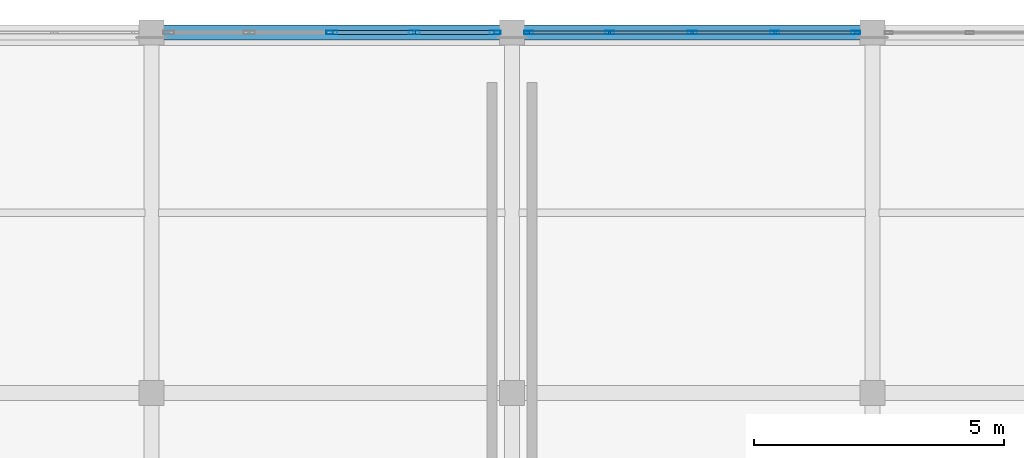
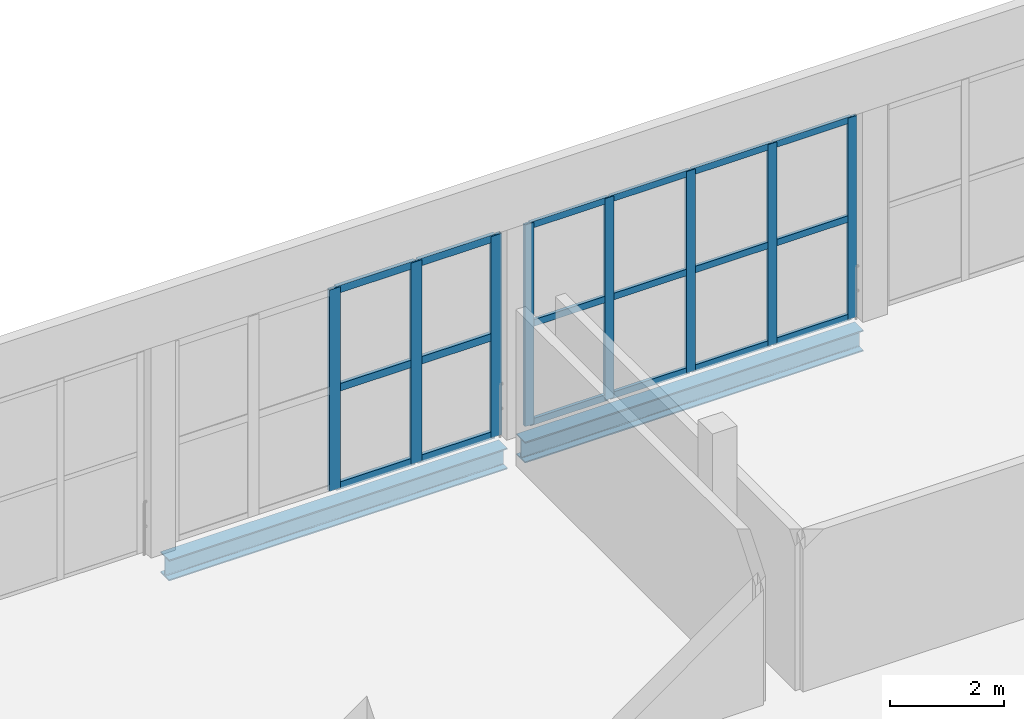
# One storey, part 35 of 64: 26 members, 2 beams, 2 elements without a shape of their own.
"""IFC4 building model written with IfcOpenShell, lengths in metres."""

from ifc_helpers import new_model, si_unit, direction, frame, origin, origin_2d, place, context, subcontext, project, spatial, hollow_rectangle, i_section, extrude, material, material_profile, profile_set, type_object, element, aggregate, save


model = new_model("IFC4")

# Units and contexts
model_context = context("Model", 3, precision=1e-05, world=origin(), true_north=direction((0.0, 1.0)))
body_context = subcontext(model_context, "Body", "Model", "MODEL_VIEW")
ifc_project = project(units=[si_unit("LENGTHUNIT", "METRE"), si_unit("AREAUNIT", "SQUARE_METRE"), si_unit("VOLUMEUNIT", "CUBIC_METRE"), si_unit("PLANEANGLEUNIT", "RADIAN"), si_unit("MASSUNIT", "GRAM", prefix="KILO")], contexts=[model_context])

# Site, building, storey
site_placement = place(None, origin())
site = spatial("IfcSite", under=ifc_project, at=site_placement, CompositionType="ELEMENT")
building_placement = place(site_placement, origin())
building = spatial("IfcBuilding", under=site, at=building_placement, Name="Qandorah Velis Arena", CompositionType="ELEMENT")
storey_placement = place(building_placement, frame((0.0, 0.0, 23.0)))
storey = spatial("IfcBuildingStorey", under=building, at=storey_placement, Name="L05", CompositionType="ELEMENT", Elevation=23.0)

# Curtain wall, members
ifc_material_1 = material(Name="Solar-control low-E double glazing", Category="glass")
curtain_wall_type_1 = type_object("IfcCurtainWallType", Name="ARC-CW-SYS06", PredefinedType="USERDEFINED", material=ifc_material_1)
curtain_wall_1_placement = place(storey_placement, origin())
curtain_wall_1 = element("IfcCurtainWall", 1, at=curtain_wall_1_placement, inside=storey, type_object=curtain_wall_type_1, Name="Unitised curtain wall L05-102", ObjectType="UNITISED CURTAIN WALL", PredefinedType="USERDEFINED")
ifc_material_2 = material(Name="Champagne-bronze anodized aluminium 6063-T6", Category="aluminium")
ifc_material_profile_1 = material_profile(ifc_material_2, hollow_rectangle(XDim=0.06494140625, YDim=0.179931640625, WallThickness=0.00341796875, at=origin_2d()), Name="ALU MULLION 65x180")
ifc_profile_set_1 = profile_set([ifc_material_profile_1], Name="Champagne-bronze anodized aluminium 6063-T6")
member_type_1 = type_object("IfcMemberType", Name="ARC-CWM-180", PredefinedType="MULLION", material=ifc_profile_set_1)
member_1_placement = place(storey_placement, frame((57.9326171875, 129.60009765625, -0.014892578125), z_axis=(0.0, 0.0, 1.0), x_axis=(0.0, 1.0, 0.0)))
member_1 = element("IfcMember", 2, at=member_1_placement, type_object=member_type_1, Name="CW06 mullion 1", PredefinedType="MULLION", context=body_context, shape_type="SweptSolid", body=[
    extrude(hollow_rectangle(XDim=0.06494140625, YDim=0.179931640625, WallThickness=0.00341796875, at=origin_2d()), origin(), (0.0, 0.0, 1.0), 4.309814453125),
])
member_2_placement = place(storey_placement, frame((59.550048828125, 129.60009765625, -0.014892578125), z_axis=(0.0, 0.0, 1.0), x_axis=(0.0, 1.0, 0.0)))
member_2 = element("IfcMember", 3, at=member_2_placement, type_object=member_type_1, Name="CW06 mullion 2", PredefinedType="MULLION", context=body_context, shape_type="SweptSolid", body=[
    extrude(hollow_rectangle(XDim=0.06494140625, YDim=0.179931640625, WallThickness=0.00341796875, at=origin_2d()), origin(), (0.0, 0.0, 1.0), 4.309814453125),
])
member_3_placement = place(storey_placement, frame((61.199951171875, 129.60009765625, -0.014892578125), z_axis=(0.0, 0.0, 1.0), x_axis=(0.0, 1.0, 0.0)))
member_3 = element("IfcMember", 4, at=member_3_placement, type_object=member_type_1, Name="CW06 mullion 3", PredefinedType="MULLION", context=body_context, shape_type="SweptSolid", body=[
    extrude(hollow_rectangle(XDim=0.06494140625, YDim=0.179931640625, WallThickness=0.00341796875, at=origin_2d()), origin(), (0.0, 0.0, 1.0), 4.309814453125),
])
member_4_placement = place(storey_placement, frame((62.85009765625, 129.60009765625, -0.014892578125), z_axis=(0.0, 0.0, 1.0), x_axis=(0.0, 1.0, 0.0)))
member_4 = element("IfcMember", 5, at=member_4_placement, type_object=member_type_1, Name="CW06 mullion 4", PredefinedType="MULLION", context=body_context, shape_type="SweptSolid", body=[
    extrude(hollow_rectangle(XDim=0.06494140625, YDim=0.179931640625, WallThickness=0.00341796875, at=origin_2d()), origin(), (0.0, 0.0, 1.0), 4.309814453125),
])
member_5_placement = place(storey_placement, frame((64.467529296875, 129.60009765625, -0.014892578125), z_axis=(0.0, 0.0, 1.0), x_axis=(0.0, 1.0, 0.0)))
member_5 = element("IfcMember", 6, at=member_5_placement, type_object=member_type_1, Name="CW06 mullion 5", PredefinedType="MULLION", context=body_context, shape_type="SweptSolid", body=[
    extrude(hollow_rectangle(XDim=0.06494140625, YDim=0.179931640625, WallThickness=0.00341796875, at=origin_2d()), origin(), (0.0, 0.0, 1.0), 4.309814453125),
])

curtain_wall_type_2 = type_object("IfcCurtainWallType", Name="ARC-CW-SYS05", PredefinedType="USERDEFINED", material=ifc_material_1)
curtain_wall_2_placement = place(storey_placement, origin())
curtain_wall_2 = element("IfcCurtainWall", 7, at=curtain_wall_2_placement, inside=storey, type_object=curtain_wall_type_2, Name="Unitised curtain wall L05-101", ObjectType="UNITISED CURTAIN WALL", PredefinedType="USERDEFINED")
ifc_material_profile_2 = material_profile(ifc_material_2, hollow_rectangle(XDim=0.074951171875, YDim=0.219970703125, WallThickness=0.00390625, at=origin_2d()), Name="ALU MULLION 75x220")
ifc_profile_set_2 = profile_set([ifc_material_profile_2], Name="Champagne-bronze anodized aluminium 6063-T6")
member_type_2 = type_object("IfcMemberType", Name="ARC-CWM-220", PredefinedType="MULLION", material=ifc_profile_set_2)
member_6_placement = place(storey_placement, frame((54.0, 129.60009765625, -0.014892578125), z_axis=(0.0, 0.0, 1.0), x_axis=(0.0, 1.0, 0.0)))
member_6 = element("IfcMember", 8, at=member_6_placement, type_object=member_type_2, Name="CW05 mullion 3", PredefinedType="MULLION", context=body_context, shape_type="SweptSolid", body=[
    extrude(hollow_rectangle(XDim=0.074951171875, YDim=0.219970703125, WallThickness=0.00390625, at=origin_2d()), origin(), (0.0, 0.0, 1.0), 4.309814453125),
])
member_7_placement = place(storey_placement, frame((55.64990234375, 129.60009765625, -0.014892578125), z_axis=(0.0, 0.0, 1.0), x_axis=(0.0, 1.0, 0.0)))
member_7 = element("IfcMember", 9, at=member_7_placement, type_object=member_type_2, Name="CW05 mullion 4", PredefinedType="MULLION", context=body_context, shape_type="SweptSolid", body=[
    extrude(hollow_rectangle(XDim=0.074951171875, YDim=0.219970703125, WallThickness=0.00390625, at=origin_2d()), origin(), (0.0, 0.0, 1.0), 4.309814453125),
])
member_8_placement = place(storey_placement, frame((57.262451171875, 129.60009765625, -0.014892578125), z_axis=(0.0, 0.0, 1.0), x_axis=(0.0, 1.0, 0.0)))
member_8 = element("IfcMember", 10, at=member_8_placement, type_object=member_type_2, Name="CW05 mullion 5", PredefinedType="MULLION", context=body_context, shape_type="SweptSolid", body=[
    extrude(hollow_rectangle(XDim=0.074951171875, YDim=0.219970703125, WallThickness=0.00390625, at=origin_2d()), origin(), (0.0, 0.0, 1.0), 4.309814453125),
])

# Member
ifc_material_profile_3 = material_profile(ifc_material_2, hollow_rectangle(XDim=0.06494140625, YDim=0.139892578125, WallThickness=0.0029296875, at=origin_2d()), Name="ALU TRANSOM 65x140")
ifc_profile_set_3 = profile_set([ifc_material_profile_3], Name="Champagne-bronze anodized aluminium 6063-T6")
member_type_3 = type_object("IfcMemberType", Name="ARC-CWT-140", PredefinedType="USERDEFINED", material=ifc_profile_set_3)
member_9_placement = place(storey_placement, frame((57.952880859375, 129.60009765625, 0.032470703125), z_axis=(1.0, 0.0, 0.0), x_axis=(0.0, 1.0, 0.0)))
member_9 = element("IfcMember", 11, at=member_9_placement, type_object=member_type_3, Name="CW06 transom 1.1", ObjectType="TRANSOM", PredefinedType="USERDEFINED", context=body_context, shape_type="SweptSolid", body=[
    extrude(hollow_rectangle(XDim=0.06494140625, YDim=0.139892578125, WallThickness=0.0029296875, at=origin_2d()), origin(), (0.0, 0.0, 1.0), 1.57666015625),
])

member_10_placement = place(storey_placement, frame((57.952880859375, 129.60009765625, 2.139892578125), z_axis=(1.0, 0.0, 0.0), x_axis=(0.0, 1.0, 0.0)))
member_10 = element("IfcMember", 12, at=member_10_placement, type_object=member_type_3, Name="CW06 transom 1.2", ObjectType="TRANSOM", PredefinedType="USERDEFINED", context=body_context, shape_type="SweptSolid", body=[
    extrude(hollow_rectangle(XDim=0.06494140625, YDim=0.139892578125, WallThickness=0.0029296875, at=origin_2d()), origin(), (0.0, 0.0, 1.0), 1.57666015625),
])

member_11_placement = place(storey_placement, frame((57.952880859375, 129.60009765625, 4.24755859375), z_axis=(1.0, 0.0, 0.0), x_axis=(0.0, 1.0, 0.0)))
member_11 = element("IfcMember", 13, at=member_11_placement, type_object=member_type_3, Name="CW06 transom 1.3", ObjectType="TRANSOM", PredefinedType="USERDEFINED", context=body_context, shape_type="SweptSolid", body=[
    extrude(hollow_rectangle(XDim=0.06494140625, YDim=0.139892578125, WallThickness=0.0029296875, at=origin_2d()), origin(), (0.0, 0.0, 1.0), 1.57666015625),
])

member_12_placement = place(storey_placement, frame((59.570556640625, 129.60009765625, 0.032470703125), z_axis=(1.0, 0.0, 0.0), x_axis=(0.0, 1.0, 0.0)))
member_12 = element("IfcMember", 14, at=member_12_placement, type_object=member_type_3, Name="CW06 transom 2.1", ObjectType="TRANSOM", PredefinedType="USERDEFINED", context=body_context, shape_type="SweptSolid", body=[
    extrude(hollow_rectangle(XDim=0.06494140625, YDim=0.139892578125, WallThickness=0.0029296875, at=origin_2d()), origin(), (0.0, 0.0, 1.0), 1.60888671875),
])

member_13_placement = place(storey_placement, frame((59.570556640625, 129.60009765625, 2.139892578125), z_axis=(1.0, 0.0, 0.0), x_axis=(0.0, 1.0, 0.0)))
member_13 = element("IfcMember", 15, at=member_13_placement, type_object=member_type_3, Name="CW06 transom 2.2", ObjectType="TRANSOM", PredefinedType="USERDEFINED", context=body_context, shape_type="SweptSolid", body=[
    extrude(hollow_rectangle(XDim=0.06494140625, YDim=0.139892578125, WallThickness=0.0029296875, at=origin_2d()), origin(), (0.0, 0.0, 1.0), 1.60888671875),
])

member_14_placement = place(storey_placement, frame((59.570556640625, 129.60009765625, 4.24755859375), z_axis=(1.0, 0.0, 0.0), x_axis=(0.0, 1.0, 0.0)))
member_14 = element("IfcMember", 16, at=member_14_placement, type_object=member_type_3, Name="CW06 transom 2.3", ObjectType="TRANSOM", PredefinedType="USERDEFINED", context=body_context, shape_type="SweptSolid", body=[
    extrude(hollow_rectangle(XDim=0.06494140625, YDim=0.139892578125, WallThickness=0.0029296875, at=origin_2d()), origin(), (0.0, 0.0, 1.0), 1.60888671875),
])

member_15_placement = place(storey_placement, frame((61.220458984375, 129.60009765625, 0.032470703125), z_axis=(1.0, 0.0, 0.0), x_axis=(0.0, 1.0, 0.0)))
member_15 = element("IfcMember", 17, at=member_15_placement, type_object=member_type_3, Name="CW06 transom 3.1", ObjectType="TRANSOM", PredefinedType="USERDEFINED", context=body_context, shape_type="SweptSolid", body=[
    extrude(hollow_rectangle(XDim=0.06494140625, YDim=0.139892578125, WallThickness=0.0029296875, at=origin_2d()), origin(), (0.0, 0.0, 1.0), 1.609130859375),
])

member_16_placement = place(storey_placement, frame((61.220458984375, 129.60009765625, 2.139892578125), z_axis=(1.0, 0.0, 0.0), x_axis=(0.0, 1.0, 0.0)))
member_16 = element("IfcMember", 18, at=member_16_placement, type_object=member_type_3, Name="CW06 transom 3.2", ObjectType="TRANSOM", PredefinedType="USERDEFINED", context=body_context, shape_type="SweptSolid", body=[
    extrude(hollow_rectangle(XDim=0.06494140625, YDim=0.139892578125, WallThickness=0.0029296875, at=origin_2d()), origin(), (0.0, 0.0, 1.0), 1.609130859375),
])

member_17_placement = place(storey_placement, frame((61.220458984375, 129.60009765625, 4.24755859375), z_axis=(1.0, 0.0, 0.0), x_axis=(0.0, 1.0, 0.0)))
member_17 = element("IfcMember", 19, at=member_17_placement, type_object=member_type_3, Name="CW06 transom 3.3", ObjectType="TRANSOM", PredefinedType="USERDEFINED", context=body_context, shape_type="SweptSolid", body=[
    extrude(hollow_rectangle(XDim=0.06494140625, YDim=0.139892578125, WallThickness=0.0029296875, at=origin_2d()), origin(), (0.0, 0.0, 1.0), 1.609130859375),
])

member_18_placement = place(storey_placement, frame((62.87060546875, 129.60009765625, 0.032470703125), z_axis=(1.0, 0.0, 0.0), x_axis=(0.0, 1.0, 0.0)))
member_18 = element("IfcMember", 20, at=member_18_placement, type_object=member_type_3, Name="CW06 transom 4.1", ObjectType="TRANSOM", PredefinedType="USERDEFINED", context=body_context, shape_type="SweptSolid", body=[
    extrude(hollow_rectangle(XDim=0.06494140625, YDim=0.139892578125, WallThickness=0.0029296875, at=origin_2d()), origin(), (0.0, 0.0, 1.0), 1.576416015625),
])

member_19_placement = place(storey_placement, frame((62.87060546875, 129.60009765625, 2.139892578125), z_axis=(1.0, 0.0, 0.0), x_axis=(0.0, 1.0, 0.0)))
member_19 = element("IfcMember", 21, at=member_19_placement, type_object=member_type_3, Name="CW06 transom 4.2", ObjectType="TRANSOM", PredefinedType="USERDEFINED", context=body_context, shape_type="SweptSolid", body=[
    extrude(hollow_rectangle(XDim=0.06494140625, YDim=0.139892578125, WallThickness=0.0029296875, at=origin_2d()), origin(), (0.0, 0.0, 1.0), 1.576416015625),
])

member_20_placement = place(storey_placement, frame((62.87060546875, 129.60009765625, 4.24755859375), z_axis=(1.0, 0.0, 0.0), x_axis=(0.0, 1.0, 0.0)))
member_20 = element("IfcMember", 22, at=member_20_placement, type_object=member_type_3, Name="CW06 transom 4.3", ObjectType="TRANSOM", PredefinedType="USERDEFINED", context=body_context, shape_type="SweptSolid", body=[
    extrude(hollow_rectangle(XDim=0.06494140625, YDim=0.139892578125, WallThickness=0.0029296875, at=origin_2d()), origin(), (0.0, 0.0, 1.0), 1.576416015625),
])

aggregate(curtain_wall_1, [member_1, member_2, member_3, member_4, member_5, member_9, member_10, member_11, member_12, member_13, member_14, member_15, member_16, member_17, member_18, member_19, member_20])

ifc_material_profile_4 = material_profile(ifc_material_2, hollow_rectangle(XDim=0.074951171875, YDim=0.159912109375, WallThickness=0.00341796875, at=origin_2d()), Name="ALU TRANSOM 75x160")
ifc_profile_set_4 = profile_set([ifc_material_profile_4], Name="Champagne-bronze anodized aluminium 6063-T6")
member_type_4 = type_object("IfcMemberType", Name="ARC-CWT-160", PredefinedType="USERDEFINED", material=ifc_profile_set_4)
member_21_placement = place(storey_placement, frame((54.025390625, 129.60009765625, 0.03759765625), z_axis=(1.0, 0.0, 0.0), x_axis=(0.0, 1.0, 0.0)))
member_21 = element("IfcMember", 23, at=member_21_placement, type_object=member_type_4, Name="CW05 transom 3.1", ObjectType="TRANSOM", PredefinedType="USERDEFINED", context=body_context, shape_type="SweptSolid", body=[
    extrude(hollow_rectangle(XDim=0.074951171875, YDim=0.159912109375, WallThickness=0.00341796875, at=origin_2d()), origin(), (0.0, 0.0, 1.0), 1.59912109375),
])

member_22_placement = place(storey_placement, frame((54.025390625, 129.60009765625, 2.139892578125), z_axis=(1.0, 0.0, 0.0), x_axis=(0.0, 1.0, 0.0)))
member_22 = element("IfcMember", 24, at=member_22_placement, type_object=member_type_4, Name="CW05 transom 3.2", ObjectType="TRANSOM", PredefinedType="USERDEFINED", context=body_context, shape_type="SweptSolid", body=[
    extrude(hollow_rectangle(XDim=0.074951171875, YDim=0.159912109375, WallThickness=0.00341796875, at=origin_2d()), origin(), (0.0, 0.0, 1.0), 1.59912109375),
])

member_23_placement = place(storey_placement, frame((54.025390625, 129.60009765625, 4.242431640625), z_axis=(1.0, 0.0, 0.0), x_axis=(0.0, 1.0, 0.0)))
member_23 = element("IfcMember", 25, at=member_23_placement, type_object=member_type_4, Name="CW05 transom 3.3", ObjectType="TRANSOM", PredefinedType="USERDEFINED", context=body_context, shape_type="SweptSolid", body=[
    extrude(hollow_rectangle(XDim=0.074951171875, YDim=0.159912109375, WallThickness=0.00341796875, at=origin_2d()), origin(), (0.0, 0.0, 1.0), 1.59912109375),
])

member_24_placement = place(storey_placement, frame((55.675537109375, 129.60009765625, 0.03759765625), z_axis=(1.0, 0.0, 0.0), x_axis=(0.0, 1.0, 0.0)))
member_24 = element("IfcMember", 26, at=member_24_placement, type_object=member_type_4, Name="CW05 transom 4.1", ObjectType="TRANSOM", PredefinedType="USERDEFINED", context=body_context, shape_type="SweptSolid", body=[
    extrude(hollow_rectangle(XDim=0.074951171875, YDim=0.159912109375, WallThickness=0.00341796875, at=origin_2d()), origin(), (0.0, 0.0, 1.0), 1.5615234375),
])

member_25_placement = place(storey_placement, frame((55.675537109375, 129.60009765625, 2.139892578125), z_axis=(1.0, 0.0, 0.0), x_axis=(0.0, 1.0, 0.0)))
member_25 = element("IfcMember", 27, at=member_25_placement, type_object=member_type_4, Name="CW05 transom 4.2", ObjectType="TRANSOM", PredefinedType="USERDEFINED", context=body_context, shape_type="SweptSolid", body=[
    extrude(hollow_rectangle(XDim=0.074951171875, YDim=0.159912109375, WallThickness=0.00341796875, at=origin_2d()), origin(), (0.0, 0.0, 1.0), 1.5615234375),
])

member_26_placement = place(storey_placement, frame((55.675537109375, 129.60009765625, 4.242431640625), z_axis=(1.0, 0.0, 0.0), x_axis=(0.0, 1.0, 0.0)))
member_26 = element("IfcMember", 28, at=member_26_placement, type_object=member_type_4, Name="CW05 transom 4.3", ObjectType="TRANSOM", PredefinedType="USERDEFINED", context=body_context, shape_type="SweptSolid", body=[
    extrude(hollow_rectangle(XDim=0.074951171875, YDim=0.159912109375, WallThickness=0.00341796875, at=origin_2d()), origin(), (0.0, 0.0, 1.0), 1.5615234375),
])

aggregate(curtain_wall_2, [member_6, member_7, member_8, member_21, member_22, member_23, member_24, member_25, member_26])

# Beams
ifc_material_3 = material(Name="Steel S355", Category="steel")
ifc_material_profile_5 = material_profile(ifc_material_3, i_section(OverallWidth=0.300048828125, OverallDepth=0.449951171875, WebThickness=0.013916015625, FlangeThickness=0.02587890625, FilletRadius=0.027099609375, at=origin_2d()), Name="HEB 450")
ifc_profile_set_5 = profile_set([ifc_material_profile_5], Name="Steel S355")
beam_type = type_object("IfcBeamType", Name="STR-BM-HEB450", PredefinedType="BEAM", material=ifc_profile_set_5)
beam_1_placement = place(storey_placement, frame((50.57861328125, 129.60009765625, -0.47509765625), z_axis=(1.0, 0.0, 0.0), x_axis=(0.0, 1.0, 0.0)))
element("IfcBeam", 29, at=beam_1_placement, inside=storey, type_object=beam_type, Name="Primary floor girder L05 X-108", PredefinedType="BEAM", context=body_context, shape_type="SweptSolid", body=[
    extrude(i_section(OverallWidth=0.300048828125, OverallDepth=0.449951171875, WebThickness=0.013916015625, FlangeThickness=0.02587890625, FilletRadius=0.027099609375, at=origin_2d()), origin(), (0.0, 0.0, 1.0), 6.8427734375),
])
beam_2_placement = place(storey_placement, frame((57.778564453125, 129.60009765625, -0.47509765625), z_axis=(1.0, 0.0, 0.0), x_axis=(0.0, 1.0, 0.0)))
element("IfcBeam", 30, at=beam_2_placement, inside=storey, type_object=beam_type, Name="Primary floor girder L05 X-109", PredefinedType="BEAM", context=body_context, shape_type="SweptSolid", body=[
    extrude(i_section(OverallWidth=0.300048828125, OverallDepth=0.449951171875, WebThickness=0.013916015625, FlangeThickness=0.02587890625, FilletRadius=0.027099609375, at=origin_2d()), origin(), (0.0, 0.0, 1.0), 6.843017578125),
])

save(model, "model.ifc")
